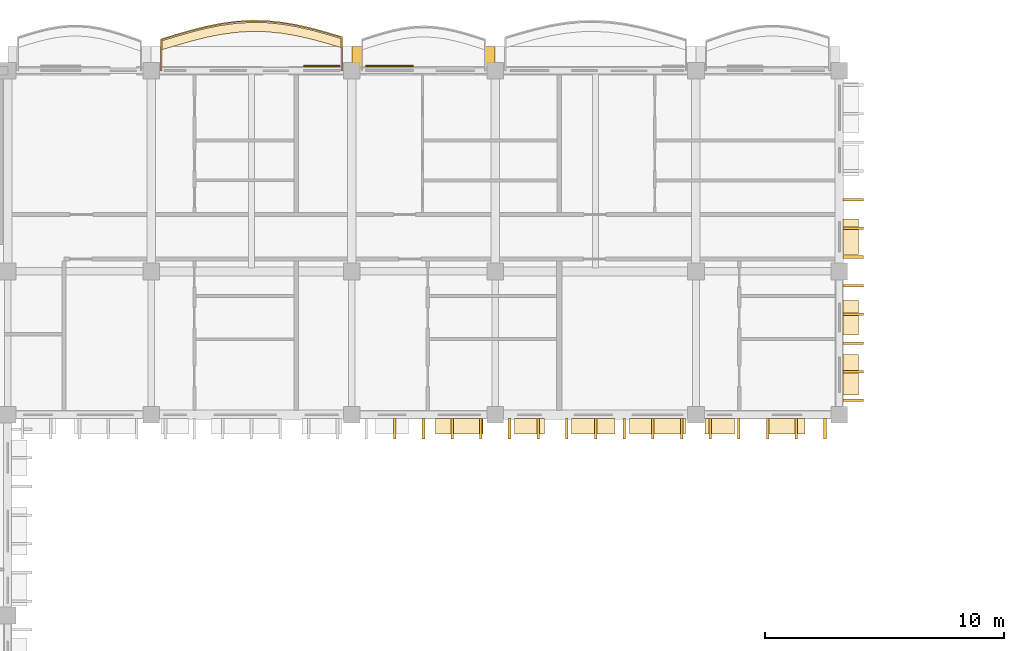
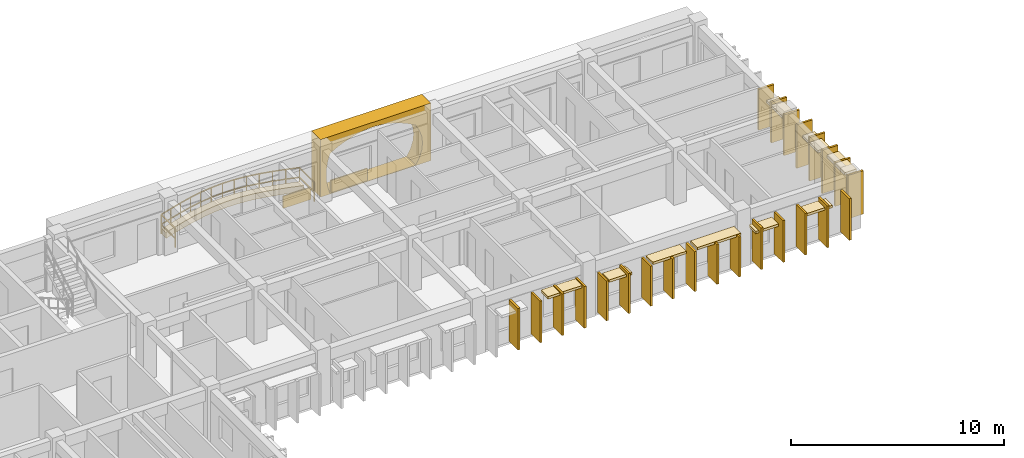
# One storey, part 52 of 70: 37 coverings, 1 railing.
"""IFC4 building model written with IfcOpenShell, lengths in metres."""

import ifcopenshell
import ifcopenshell.guid

model = None  # the IFC model being written
_history = None  # IfcOwnerHistory: only IFC2X3 demands one
_inside = {}  # id of a spatial element -> (the spatial element, [elements in it])
_under = {}  # id of a project, library or spatial element -> (it, [spatial elements below it])
_declared = {}  # id of a project -> (the project, [libraries it declares])
_typed = {}  # id of a type object -> (the type object, [elements of that type])
_made_of = {}  # id of a material, layer set ... -> (it, [elements and type objects made of it])


def new_model(schema):
    """Start an empty IFC model of exactly this schema.

    Asked for "IFC4X3", IfcOpenShell would pick the latest addendum, in which some entities
    have other attributes; the version numbers below select the first issue.
    IFC2X3 requires an IfcOwnerHistory on every rooted entity: one is made here for all.
    """
    global model, _history
    if schema == "IFC4X3":
        model = ifcopenshell.file(schema_version=(4, 3, 0, 0))
    else:
        model = ifcopenshell.file(schema=schema)
    _inside.clear()
    _under.clear()
    _declared.clear()
    _typed.clear()
    _made_of.clear()
    _history = None
    if model.schema == "IFC2X3":
        org = make("IfcOrganization", Name="unknown")
        user = make(
            "IfcPersonAndOrganization",
            ThePerson=make("IfcPerson", FamilyName="unknown"),
            TheOrganization=org,
        )
        app = make(
            "IfcApplication",
            ApplicationDeveloper=org,
            Version="unknown",
            ApplicationFullName="unknown",
            ApplicationIdentifier="unknown",
        )
        _history = make(
            "IfcOwnerHistory",
            OwningUser=user,
            OwningApplication=app,
            ChangeAction="ADDED",
            CreationDate=0,
        )
    return model


def make(cls, **values):
    """One entity of the class cls with the attributes given. An attribute that is None is left unset."""
    return model.create_entity(
        cls, **{name: value for name, value in values.items() if value is not None}
    )


def rooted(cls, **values):
    """An entity with a GlobalId (a new one), such as an element, a storey or a relation."""
    return make(cls, GlobalId=ifcopenshell.guid.new(), OwnerHistory=_history, **values)


def si_unit(unit_type, name, prefix=None):
    """IfcSIUnit, for example si_unit("LENGTHUNIT", "METRE", prefix="MILLI")."""
    return make("IfcSIUnit", UnitType=unit_type, Prefix=prefix, Name=name)


def assignment(units):
    """IfcUnitAssignment: the units of a project."""
    return None if units is None else make("IfcUnitAssignment", Units=units)


def point(xyz):
    """IfcCartesianPoint."""
    return None if xyz is None else make("IfcCartesianPoint", Coordinates=xyz)


def direction(xyz):
    """IfcDirection."""
    return None if xyz is None else make("IfcDirection", DirectionRatios=xyz)


def frame(location, z_axis=None, x_axis=None):
    """IfcAxis2Placement3D, a coordinate frame: its origin and axes. An axis left out is left unset."""
    return make(
        "IfcAxis2Placement3D",
        Location=point(location),
        Axis=direction(z_axis),
        RefDirection=direction(x_axis),
    )


def frame_2d(location, x_axis=None):
    """IfcAxis2Placement2D, a coordinate frame in the plane: its origin and x axis."""
    return make(
        "IfcAxis2Placement2D", Location=point(location), RefDirection=direction(x_axis)
    )


def origin():
    """The frame at (0, 0, 0) with its axes left unset."""
    return frame((0.0, 0.0, 0.0))


def origin_2d():
    """The frame at (0, 0) in the plane with its x axis left unset."""
    return frame_2d((0.0, 0.0))


def place(relative_to, where):
    """IfcLocalPlacement: puts the frame where relative to a parent placement (None: the world)."""
    return make(
        "IfcLocalPlacement", PlacementRelTo=relative_to, RelativePlacement=where
    )


def context(
    kind, dimensions, precision=None, world=None, true_north=None, identifier=None
):
    """IfcGeometricRepresentationContext, for example the 3D "Model" context."""
    return make(
        "IfcGeometricRepresentationContext",
        ContextIdentifier=identifier,
        ContextType=kind,
        CoordinateSpaceDimension=dimensions,
        Precision=precision,
        WorldCoordinateSystem=world,
        TrueNorth=true_north,
    )


def subcontext(parent, identifier, kind, view, scale=None):
    """IfcGeometricRepresentationSubContext, for example "Body" below "Model"."""
    return make(
        "IfcGeometricRepresentationSubContext",
        ContextIdentifier=identifier,
        ContextType=kind,
        ParentContext=parent,
        TargetScale=scale,
        TargetView=view,
    )


def project(units=None, contexts=None):
    """IfcProject with its units and contexts."""
    return rooted(
        "IfcProject",
        Name="project",
        RepresentationContexts=contexts,
        UnitsInContext=assignment(units),
    )


def spatial(cls, under=None, at=None, **own):
    """A site, building, storey or space (cls), placed at a placement, below another one or the project."""
    s = rooted(cls, ObjectPlacement=at, **own)
    if under is not None:
        _under.setdefault(under.id(), (under, []))[1].append(s)
    return s


def polyline(points):
    """IfcPolyline through the points."""
    return make("IfcPolyline", Points=[point(p) for p in points])


def profile(cls, at=None, kind="AREA", **sizes):
    """A parametric profile (cls). Its sizes go by their IFC names, for example OverallWidth=200.0."""
    return make(cls, ProfileType=kind, Position=at, **sizes)


def rectangle(**sizes):
    """IfcRectangleProfileDef."""
    return profile("IfcRectangleProfileDef", **sizes)


def outline(outer, holes=None, kind="AREA"):
    """IfcArbitraryClosedProfileDef: a profile drawn as a closed curve; with holes, ...WithVoids."""
    if holes is None:
        return make("IfcArbitraryClosedProfileDef", ProfileType=kind, OuterCurve=outer)
    return make(
        "IfcArbitraryProfileDefWithVoids",
        ProfileType=kind,
        OuterCurve=outer,
        InnerCurves=holes,
    )


def extrude(swept, where, along, depth):
    """IfcExtrudedAreaSolid: the profile swept, set in the frame where, extruded along a direction by depth."""
    return make(
        "IfcExtrudedAreaSolid",
        SweptArea=swept,
        Position=where,
        ExtrudedDirection=direction(along),
        Depth=depth,
    )


def shape(context_of_items, identifier, shape_type, items):
    """IfcShapeRepresentation: the items that make up one representation, for example the "Body"."""
    return make(
        "IfcShapeRepresentation",
        ContextOfItems=context_of_items,
        RepresentationIdentifier=identifier,
        RepresentationType=shape_type,
        Items=items,
    )


def material(Name=None, Category=None):
    """IfcMaterial."""
    return make("IfcMaterial", Name=Name, Category=Category)


def layer(
    of_material, thickness, ventilated=None, Name=None, Category=None, Priority=None
):
    """IfcMaterialLayer: one layer of a wall or slab, of a material (None: an air gap)."""
    return make(
        "IfcMaterialLayer",
        Material=of_material,
        LayerThickness=thickness,
        IsVentilated=ventilated,
        Name=Name,
        Category=Category,
        Priority=Priority,
    )


def layer_set(layers, Name=None):
    """IfcMaterialLayerSet."""
    return make("IfcMaterialLayerSet", MaterialLayers=layers, LayerSetName=Name)


def made_of(thing, what):
    """Note that an element or type object is made of a material, layer set ...; save() writes the relation."""
    if what is not None:
        _made_of.setdefault(what.id(), (what, []))[1].append(thing)
    return thing


def type_object(cls, material=None, **own):
    """A type object (cls), such as IfcWallType, which elements share."""
    return made_of(rooted(cls, **own), material)


def element(
    cls,
    number,
    at=None,
    inside=None,
    cuts=None,
    type_object=None,
    material=None,
    context=None,
    identifier="Body",
    shape_type=None,
    held_by="IfcProductDefinitionShape",
    body=None,
    shapes=None,
    **own,
):
    """One element of the class cls, such as IfcWall. Its Tag is "e" and its number.

    at: its placement. inside: the storey or other place that contains it. cuts: it is an
    opening in that element (IfcRelVoidsElement). A single representation is given by context,
    identifier, shape_type and body (its items); several are given by shapes. held_by: the class
    of the entity that holds the representations. save() writes the other relations.
    """
    e = rooted(cls, Tag="e%d" % number, ObjectPlacement=at, **own)
    if body is not None:
        shapes = [shape(context, identifier, shape_type, body)]
    if shapes is not None:
        e.Representation = make(held_by, Representations=shapes)
    if inside is not None:
        _inside.setdefault(inside.id(), (inside, []))[1].append(e)
    if cuts is not None:
        rooted(
            "IfcRelVoidsElement", RelatingBuildingElement=cuts, RelatedOpeningElement=e
        )
    if type_object is not None:
        _typed.setdefault(type_object.id(), (type_object, []))[1].append(e)
    return made_of(e, material)


def aggregate(whole, parts):
    """IfcRelAggregates: a whole, such as a stair, and the parts it consists of."""
    return rooted("IfcRelAggregates", RelatingObject=whole, RelatedObjects=parts)


def save(model, path):
    """Write the relations noted so far, then the file.

    IfcRelAggregates (storeys below a building ...), IfcRelContainedInSpatialStructure (elements
    in a storey), IfcRelDefinesByType, IfcRelAssociatesMaterial and IfcRelDeclares: one each for
    every whole, place, type object, material and project.
    """
    for whole, parts in _under.values():
        aggregate(whole, parts)
    for where, things in _inside.values():
        rooted(
            "IfcRelContainedInSpatialStructure",
            RelatedElements=things,
            RelatingStructure=where,
        )
    for kind, things in _typed.values():
        rooted("IfcRelDefinesByType", RelatedObjects=things, RelatingType=kind)
    for what, things in _made_of.values():
        rooted("IfcRelAssociatesMaterial", RelatedObjects=things, RelatingMaterial=what)
    for by, libraries in _declared.values():
        rooted("IfcRelDeclares", RelatingContext=by, RelatedDefinitions=libraries)
    model.write(path)


model = new_model("IFC4")

# Units and contexts
model_context = context("Model", 3, precision=1e-05, world=origin(), true_north=direction((0.0, 1.0)))
body_context = subcontext(model_context, "Body", "Model", "MODEL_VIEW")
ifc_project = project(units=[si_unit("LENGTHUNIT", "METRE"), si_unit("AREAUNIT", "SQUARE_METRE"), si_unit("VOLUMEUNIT", "CUBIC_METRE"), si_unit("PLANEANGLEUNIT", "RADIAN"), si_unit("MASSUNIT", "GRAM", prefix="KILO"), si_unit("THERMODYNAMICTEMPERATUREUNIT", "KELVIN")], contexts=[model_context])

# Site, building, storey
site_placement = place(None, origin())
site = spatial("IfcSite", under=ifc_project, at=site_placement, CompositionType="ELEMENT")
building_placement = place(site_placement, origin())
building = spatial("IfcBuilding", under=site, at=building_placement, Name="Thalorik Housing Commons", CompositionType="ELEMENT")
storey_placement = place(building_placement, frame((0.0, 0.0, 14.699951171875)))
storey = spatial("IfcBuildingStorey", under=building, at=storey_placement, Name="L04", CompositionType="ELEMENT", Elevation=14.699951171875)

# Coverings
ifc_material_1 = material(Name="Precast concrete C40/50", Category="concrete")
ifc_layer_1 = layer(ifc_material_1, 0.85009765625, Name="Precast concrete C40/50", Category="concrete")
ifc_layer_set_1 = layer_set([ifc_layer_1], Name="Precast concrete C40/50")
covering_type_1 = type_object("IfcCoveringType", Name="ARC-CLD-CUSH-850", PredefinedType="CLADDING", material=ifc_layer_set_1)
covering_1_placement = place(storey_placement, frame((40.199951171875, 124.18505859375, 0.0), z_axis=(0.0, 0.0, 1.0), x_axis=(-1.0, 0.0, 0.0)))
element("IfcCovering", 1, at=covering_1_placement, inside=storey, type_object=covering_type_1, Name="L04 White Precast Curved Cushion Bay Frame 432", PredefinedType="CLADDING", context=body_context, shape_type="SweptSolid", body=[
    extrude(outline(polyline([(-3.0, 0.0), (3.0, 0.0), (3.0, 3.300048828125), (-3.0, 3.300048828125), (-3.0, 0.0)]), holes=[polyline([(2.4775390625, 0.02490234375), (2.587890625, 0.407470703125), (2.654052734375, 0.7900390625), (2.676025390625, 1.172607421875), (2.654052734375, 1.554931640625), (2.587890625, 1.9375), (2.4775390625, 2.320068359375), (2.08935546875, 2.539306640625), (1.700927734375, 2.711181640625), (1.3125, 2.8505859375), (0.92431640625, 2.954345703125), (0.535888671875, 3.018310546875), (0.147705078125, 3.0400390625), (-0.24072265625, 3.018310546875), (-0.629150390625, 2.954345703125), (-1.017333984375, 2.8505859375), (-1.40576171875, 2.711181640625), (-1.794189453125, 2.539306640625), (-2.182373046875, 2.320068359375), (-2.38671875, 1.9375), (-2.50927734375, 1.554931640625), (-2.550048828125, 1.172607421875), (-2.50927734375, 0.7900390625), (-2.38671875, 0.407470703125), (-2.182373046875, 0.02490234375), (2.4775390625, 0.02490234375)])]), frame((0.0, 0.425048828125, 0.0), z_axis=(0.0, -1.0, 0.0), x_axis=(1.0, 0.0, 0.0)), (0.0, 0.0, 1.0), 0.85009765625),
])
ifc_layer_2 = layer(ifc_material_1, 0.85009765625, Name="Precast concrete C40/50", Category="concrete")
ifc_layer_set_2 = layer_set([ifc_layer_2], Name="Precast concrete C40/50")
covering_type_2 = type_object("IfcCoveringType", Name="ARC-CLD-FIN-850", PredefinedType="CLADDING", material=ifc_layer_set_2)
for number, where, z_axis, x_axis, name in (
    (2, (39.0, 108.614990234375, 0.0400390625), (0.0, 0.0, 1.0), (1.0, 0.0, 0.0), "L04 Courtyard Precast Vertical Brise-Soleil Fin 388"),
    (3, (40.199951171875, 108.614990234375, 0.0400390625), (0.0, 0.0, 1.0), (1.0, 0.0, 0.0), "L04 Courtyard Precast Vertical Brise-Soleil Fin 389"),
    (4, (41.39990234375, 108.614990234375, 0.0400390625), (0.0, 0.0, 1.0), (1.0, 0.0, 0.0), "L04 Courtyard Precast Vertical Brise-Soleil Fin 390"),
    (5, (42.60009765625, 108.614990234375, 0.0400390625), (0.0, 0.0, 1.0), (1.0, 0.0, 0.0), "L04 Courtyard Precast Vertical Brise-Soleil Fin 391"),
):
    element("IfcCovering", number, at=place(storey_placement, frame(where, z_axis=z_axis, x_axis=x_axis)), inside=storey, type_object=covering_type_2, Name=name, PredefinedType="CLADDING", context=body_context, shape_type="SweptSolid", body=[
        extrude(rectangle(XDim=0.110107421875, YDim=0.85009765625, at=origin_2d()), origin(), (0.0, 0.0, 1.0), 2.39501953125),
    ])
for number, where, z_axis, x_axis, name in (
    (6, (43.800048828125, 108.614990234375, 0.0400390625), (0.0, 0.0, 1.0), (1.0, 0.0, 0.0), "L04 Courtyard Precast Vertical Brise-Soleil Fin 394"),
    (7, (45.0, 108.614990234375, 0.0400390625), (0.0, 0.0, 1.0), (1.0, 0.0, 0.0), "L04 Courtyard Precast Vertical Brise-Soleil Fin 395"),
    (8, (46.199951171875, 108.614990234375, 0.0400390625), (0.0, 0.0, 1.0), (1.0, 0.0, 0.0), "L04 Courtyard Precast Vertical Brise-Soleil Fin 396"),
    (9, (47.39990234375, 108.614990234375, 0.0400390625), (0.0, 0.0, 1.0), (1.0, 0.0, 0.0), "L04 Courtyard Precast Vertical Brise-Soleil Fin 397"),
    (10, (48.60009765625, 108.614990234375, 0.0400390625), (0.0, 0.0, 1.0), (1.0, 0.0, 0.0), "L04 Courtyard Precast Vertical Brise-Soleil Fin 398"),
    (11, (49.800048828125, 108.614990234375, 0.0400390625), (0.0, 0.0, 1.0), (1.0, 0.0, 0.0), "L04 Courtyard Precast Vertical Brise-Soleil Fin 399"),
    (12, (51.0, 108.614990234375, 0.0400390625), (0.0, 0.0, 1.0), (1.0, 0.0, 0.0), "L04 Courtyard Precast Vertical Brise-Soleil Fin 400"),
):
    element("IfcCovering", number, at=place(storey_placement, frame(where, z_axis=z_axis, x_axis=x_axis)), inside=storey, type_object=covering_type_2, Name=name, PredefinedType="CLADDING", context=body_context, shape_type="SweptSolid", body=[
        extrude(rectangle(XDim=0.110107421875, YDim=0.85009765625, at=origin_2d()), origin(), (0.0, 0.0, 1.0), 2.294921875),
    ])
for number, where, z_axis, x_axis, name in (
    (13, (52.199951171875, 108.614990234375, 0.0400390625), (0.0, 0.0, 1.0), (1.0, 0.0, 0.0), "L04 Courtyard Precast Vertical Brise-Soleil Fin 404"),
    (14, (53.39990234375, 108.614990234375, 0.0400390625), (0.0, 0.0, 1.0), (1.0, 0.0, 0.0), "L04 Courtyard Precast Vertical Brise-Soleil Fin 405"),
    (15, (54.60009765625, 108.614990234375, 0.0400390625), (0.0, 0.0, 1.0), (1.0, 0.0, 0.0), "L04 Courtyard Precast Vertical Brise-Soleil Fin 406"),
    (16, (55.800048828125, 108.614990234375, 0.0400390625), (0.0, 0.0, 1.0), (1.0, 0.0, 0.0), "L04 Courtyard Precast Vertical Brise-Soleil Fin 407"),
    (17, (57.0, 108.614990234375, 0.0400390625), (0.0, 0.0, 1.0), (1.0, 0.0, 0.0), "L04 Courtyard Precast Vertical Brise-Soleil Fin 408"),
):
    element("IfcCovering", number, at=place(storey_placement, frame(where, z_axis=z_axis, x_axis=x_axis)), inside=storey, type_object=covering_type_2, Name=name, PredefinedType="CLADDING", context=body_context, shape_type="SweptSolid", body=[
        extrude(rectangle(XDim=0.110107421875, YDim=0.85009765625, at=origin_2d()), origin(), (0.0, 0.0, 1.0), 2.39501953125),
    ])
for number, where, z_axis, x_axis, name in (
    (18, (58.18505859375, 109.800048828125, 0.0400390625), (0.0, 0.0, 1.0), (0.0, 1.0, 0.0), "L04 Courtyard Precast Vertical Brise-Soleil Fin 411"),
    (19, (58.18505859375, 111.0, 0.0400390625), (0.0, 0.0, 1.0), (0.0, 1.0, 0.0), "L04 Courtyard Precast Vertical Brise-Soleil Fin 412"),
    (20, (58.18505859375, 112.199951171875, 0.0400390625), (0.0, 0.0, 1.0), (0.0, 1.0, 0.0), "L04 Courtyard Precast Vertical Brise-Soleil Fin 413"),
    (21, (58.18505859375, 113.39990234375, 0.0400390625), (0.0, 0.0, 1.0), (0.0, 1.0, 0.0), "L04 Courtyard Precast Vertical Brise-Soleil Fin 414"),
    (22, (58.18505859375, 114.60009765625, 0.0400390625), (0.0, 0.0, 1.0), (0.0, 1.0, 0.0), "L04 Courtyard Precast Vertical Brise-Soleil Fin 415"),
):
    element("IfcCovering", number, at=place(storey_placement, frame(where, z_axis=z_axis, x_axis=x_axis)), inside=storey, type_object=covering_type_2, Name=name, PredefinedType="CLADDING", context=body_context, shape_type="SweptSolid", body=[
        extrude(rectangle(XDim=0.110107421875, YDim=0.85009765625, at=origin_2d()), origin(), (0.0, 0.0, 1.0), 2.4951171875),
    ])
for number, where, z_axis, x_axis, name in (
    (23, (58.18505859375, 115.800048828125, 0.0400390625), (0.0, 0.0, 1.0), (0.0, 1.0, 0.0), "L04 Courtyard Precast Vertical Brise-Soleil Fin 418"),
    (24, (58.18505859375, 117.0, 0.0400390625), (0.0, 0.0, 1.0), (0.0, 1.0, 0.0), "L04 Courtyard Precast Vertical Brise-Soleil Fin 419"),
    (25, (58.18505859375, 118.199951171875, 0.0400390625), (0.0, 0.0, 1.0), (0.0, 1.0, 0.0), "L04 Courtyard Precast Vertical Brise-Soleil Fin 420"),
):
    element("IfcCovering", number, at=place(storey_placement, frame(where, z_axis=z_axis, x_axis=x_axis)), inside=storey, type_object=covering_type_2, Name=name, PredefinedType="CLADDING", context=body_context, shape_type="SweptSolid", body=[
        extrude(rectangle(XDim=0.110107421875, YDim=0.85009765625, at=origin_2d()), origin(), (0.0, 0.0, 1.0), 2.344970703125),
    ])
ifc_layer_3 = layer(ifc_material_1, 0.64990234375, Name="Precast concrete C40/50", Category="concrete")
ifc_layer_set_3 = layer_set([ifc_layer_3], Name="Precast concrete C40/50")
covering_type_3 = type_object("IfcCoveringType", Name="ARC-CLD-HOOD-650", PredefinedType="CLADDING", material=ifc_layer_set_3)
covering_2_placement = place(storey_placement, frame((41.6923828125, 108.715087890625, 2.240234375), z_axis=(0.0, 0.0, 1.0), x_axis=(1.0, 0.0, 0.0)))
element("IfcCovering", 26, at=covering_2_placement, inside=storey, type_object=covering_type_3, Name="L04 Courtyard Precast Window Sun-Hood 393", PredefinedType="CLADDING", context=body_context, shape_type="SweptSolid", body=[
    extrude(rectangle(XDim=1.989990234375, YDim=0.64990234375, at=origin_2d()), origin(), (0.0, 0.0, 1.0), 0.139892578125),
])
covering_3_placement = place(storey_placement, frame((44.635009765625, 108.715087890625, 2.0400390625), z_axis=(0.0, 0.0, 1.0), x_axis=(1.0, 0.0, 0.0)))
element("IfcCovering", 27, at=covering_3_placement, inside=storey, type_object=covering_type_3, Name="L04 Courtyard Precast Window Sun-Hood 401", PredefinedType="CLADDING", context=body_context, shape_type="SweptSolid", body=[
    extrude(rectangle(XDim=1.239990234375, YDim=0.64990234375, at=origin_2d()), origin(), (0.0, 0.0, 1.0), 0.139892578125),
])
covering_4_placement = place(storey_placement, frame((47.297607421875, 108.715087890625, 2.22509765625), z_axis=(0.0, 0.0, 1.0), x_axis=(1.0, 0.0, 0.0)))
element("IfcCovering", 28, at=covering_4_placement, inside=storey, type_object=covering_type_3, Name="L04 Courtyard Precast Window Sun-Hood 402", PredefinedType="CLADDING", context=body_context, shape_type="SweptSolid", body=[
    extrude(rectangle(XDim=1.820068359375, YDim=0.64990234375, at=origin_2d()), origin(), (0.0, 0.0, 1.0), 0.139892578125),
])
covering_5_placement = place(storey_placement, frame((49.992431640625, 108.715087890625, 2.22509765625), z_axis=(0.0, 0.0, 1.0), x_axis=(1.0, 0.0, 0.0)))
element("IfcCovering", 29, at=covering_5_placement, inside=storey, type_object=covering_type_3, Name="L04 Courtyard Precast Window Sun-Hood 403", PredefinedType="CLADDING", context=body_context, shape_type="SweptSolid", body=[
    extrude(rectangle(XDim=2.360107421875, YDim=0.64990234375, at=origin_2d()), origin(), (0.0, 0.0, 1.0), 0.139892578125),
])
covering_6_placement = place(storey_placement, frame((52.60009765625, 108.715087890625, 2.0400390625), z_axis=(0.0, 0.0, 1.0), x_axis=(1.0, 0.0, 0.0)))
element("IfcCovering", 30, at=covering_6_placement, inside=storey, type_object=covering_type_3, Name="L04 Courtyard Precast Window Sun-Hood 409", PredefinedType="CLADDING", context=body_context, shape_type="SweptSolid", body=[
    extrude(rectangle(XDim=1.239990234375, YDim=0.64990234375, at=origin_2d()), origin(), (0.0, 0.0, 1.0), 0.139892578125),
])
covering_7_placement = place(storey_placement, frame((55.409912109375, 108.715087890625, 2.09033203125), z_axis=(0.0, 0.0, 1.0), x_axis=(1.0, 0.0, 0.0)))
element("IfcCovering", 31, at=covering_7_placement, inside=storey, type_object=covering_type_3, Name="L04 Courtyard Precast Window Sun-Hood 410", PredefinedType="CLADDING", context=body_context, shape_type="SweptSolid", body=[
    extrude(rectangle(XDim=1.489990234375, YDim=0.64990234375, at=origin_2d()), origin(), (0.0, 0.0, 1.0), 0.139892578125),
])
covering_8_placement = place(storey_placement, frame((58.0849609375, 110.87548828125, 2.39013671875), z_axis=(0.0, 0.0, 1.0), x_axis=(0.0, 1.0, 0.0)))
element("IfcCovering", 32, at=covering_8_placement, inside=storey, type_object=covering_type_3, Name="L04 Courtyard Precast Window Sun-Hood 416", PredefinedType="CLADDING", context=body_context, shape_type="SweptSolid", body=[
    extrude(rectangle(XDim=1.68994140625, YDim=0.64990234375, at=origin_2d()), origin(), (0.0, 0.0, 1.0), 0.139892578125),
])
covering_9_placement = place(storey_placement, frame((58.0849609375, 113.26513671875, 2.14013671875), z_axis=(0.0, 0.0, 1.0), x_axis=(0.0, 1.0, 0.0)))
element("IfcCovering", 33, at=covering_9_placement, inside=storey, type_object=covering_type_3, Name="L04 Courtyard Precast Window Sun-Hood 417", PredefinedType="CLADDING", context=body_context, shape_type="SweptSolid", body=[
    extrude(rectangle(XDim=1.43994140625, YDim=0.64990234375, at=origin_2d()), origin(), (0.0, 0.0, 1.0), 0.139892578125),
])
covering_10_placement = place(storey_placement, frame((58.0849609375, 116.64990234375, 2.09033203125), z_axis=(0.0, 0.0, 1.0), x_axis=(0.0, 1.0, 0.0)))
element("IfcCovering", 34, at=covering_10_placement, inside=storey, type_object=covering_type_3, Name="L04 Courtyard Precast Window Sun-Hood 425", PredefinedType="CLADDING", context=body_context, shape_type="SweptSolid", body=[
    extrude(rectangle(XDim=1.489990234375, YDim=0.64990234375, at=origin_2d()), origin(), (0.0, 0.0, 1.0), 0.139892578125),
])
ifc_material_2 = material(Name="Terracotta red mineral fibre-cement panel", Category="masonry")
ifc_layer_4 = layer(ifc_material_2, 0.054931640625, Name="Terracotta red mineral fibre-cement panel", Category="masonry")
ifc_layer_set_4 = layer_set([ifc_layer_4], Name="Terracotta red mineral fibre-cement panel")
covering_type_4 = type_object("IfcCoveringType", Name="ARC-CLD-RED-55", PredefinedType="CLADDING", material=ifc_layer_set_4)
covering_11_placement = place(storey_placement, frame((35.93994140625, 123.79248046875, 0.05029296875), z_axis=(0.0, 0.0, 1.0), x_axis=(-1.0, 0.0, 0.0)))
element("IfcCovering", 35, at=covering_11_placement, inside=storey, type_object=covering_type_4, Name="L04 De Stijl Recessed Window Spandrel 435", PredefinedType="CLADDING", context=body_context, shape_type="SweptSolid", body=[
    extrude(rectangle(XDim=1.52001953125, YDim=0.054931640625, at=origin_2d()), origin(), (0.0, 0.0, 1.0), 0.699951171875),
])
ifc_material_3 = material(Name="Mineral ochre architectural terracotta panel", Category="masonry")
ifc_layer_5 = layer(ifc_material_3, 0.06494140625, Name="Mineral ochre architectural terracotta panel", Category="masonry")
ifc_layer_set_5 = layer_set([ifc_layer_5], Name="Mineral ochre architectural terracotta panel")
covering_type_5 = type_object("IfcCoveringType", Name="ARC-CLD-YEL-65", PredefinedType="CLADDING", material=ifc_layer_set_5)
covering_12_placement = place(storey_placement, frame((38.7724609375, 123.797607421875, 0.05029296875), z_axis=(0.0, 0.0, 1.0), x_axis=(-1.0, 0.0, 0.0)))
element("IfcCovering", 36, at=covering_12_placement, inside=storey, type_object=covering_type_5, Name="L04 De Stijl Recessed Window Spandrel 433", PredefinedType="CLADDING", context=body_context, shape_type="SweptSolid", body=[
    extrude(rectangle(XDim=2.0, YDim=0.06494140625, at=origin_2d()), origin(), (0.0, 0.0, 1.0), 0.699951171875),
])
ifc_material_4 = material(Name="Planted vegetated substrate and terracotta trough", Category="masonry")
ifc_layer_6 = layer(ifc_material_4, 0.340087890625, Name="Planted vegetated substrate and terracotta trough", Category="masonry")
ifc_layer_set_6 = layer_set([ifc_layer_6], Name="Planted vegetated substrate and terracotta trough")
covering_type_6 = type_object("IfcCoveringType", Name="ARC-COV-PLANTER", PredefinedType="USERDEFINED", material=ifc_layer_set_6)
covering_13_placement = place(storey_placement, origin())
element("IfcCovering", 37, at=covering_13_placement, inside=storey, type_object=covering_type_6, Name="L04 Balcony Slab-Edge Planted Trough 5338", ObjectType="PLANTER", PredefinedType="USERDEFINED", context=body_context, shape_type="SweptSolid", body=[
    extrude(outline(polyline([(36.780029296875, 124.935791015625), (36.14990234375, 125.12353515625), (35.52001953125, 125.29541015625), (34.889892578125, 125.439697265625), (34.260009765625, 125.54638671875), (33.6298828125, 125.6083984375), (33.0, 125.620849609375), (32.3701171875, 125.58349609375), (31.739990234375, 125.4990234375), (31.110107421875, 125.372802734375), (30.47998046875, 125.21435546875), (29.85009765625, 125.0341796875), (29.219970703125, 124.844970703125), (29.219970703125, 124.465087890625), (29.85009765625, 124.654296875), (30.47998046875, 124.834228515625), (31.110107421875, 124.992919921875), (31.739990234375, 125.118896484375), (32.3701171875, 125.20361328125), (33.0, 125.240966796875), (33.6298828125, 125.228271484375), (34.260009765625, 125.16650390625), (34.889892578125, 125.059814453125), (35.52001953125, 124.91552734375), (36.14990234375, 124.743408203125), (36.780029296875, 124.555908203125), (36.780029296875, 124.935791015625)])), origin(), (0.0, 0.0, 1.0), 0.340087890625),
])

# Railing
ifc_material_5 = material(Name="Steel S355", Category="steel")
railing_type = type_object("IfcRailingType", Name="ARC-RL-BAL-112", PredefinedType="BALUSTRADE", material=ifc_material_5)
railing_placement = place(storey_placement, frame((36.780029296875, 123.60009765625, 0.0)))
element("IfcRailing", 38, at=railing_placement, inside=storey, type_object=railing_type, Name="L04 Cushion Balcony Guardrail 22", PredefinedType="BALUSTRADE", context=body_context, shape_type="SweptSolid", body=[
    extrude(rectangle(XDim=0.050048828125, YDim=0.050048828125, at=origin_2d()), frame((0.0, 0.0, 1.09521484375), z_axis=(0.0, 1.0, 0.0), x_axis=(-1.0, 0.0, 0.0)), (0.0, 0.0, 1.0), 1.40576171875),
    extrude(rectangle(XDim=0.050048828125, YDim=0.050048828125, at=origin_2d()), frame((0.0, 0.0, 0.53515625), z_axis=(0.0, 1.0, 0.0), x_axis=(-1.0, 0.0, 0.0)), (0.0, 0.0, 1.0), 1.40576171875),
    extrude(rectangle(XDim=0.050048828125, YDim=0.050048828125, at=origin_2d()), frame((0.0, 1.40576171875, 1.09521484375), z_axis=(-0.958366227807, 0.285541894298, 0.0), x_axis=(-0.285541894298, -0.958366227807, 0.0)), (0.0, 0.0, 1.0), 0.657470703125),
    extrude(rectangle(XDim=0.050048828125, YDim=0.050048828125, at=origin_2d()), frame((0.0, 1.40576171875, 0.53515625), z_axis=(-0.958366227807, 0.285541894298, 0.0), x_axis=(-0.285541894298, -0.958366227807, 0.0)), (0.0, 0.0, 1.0), 0.657470703125),
    extrude(rectangle(XDim=0.050048828125, YDim=0.050048828125, at=origin_2d()), frame((-0.630126953125, 1.593505859375, 1.09521484375), z_axis=(-0.964729296683, 0.263243963126, 0.0), x_axis=(-0.263243963126, -0.964729296683, 0.0)), (0.0, 0.0, 1.0), 0.65283203125),
    extrude(rectangle(XDim=0.050048828125, YDim=0.050048828125, at=origin_2d()), frame((-0.630126953125, 1.593505859375, 0.53515625), z_axis=(-0.964729296683, 0.263243963126, 0.0), x_axis=(-0.263243963126, -0.964729296683, 0.0)), (0.0, 0.0, 1.0), 0.65283203125),
    extrude(rectangle(XDim=0.050048828125, YDim=0.050048828125, at=origin_2d()), frame((-1.260009765625, 1.765380859375, 1.09521484375), z_axis=(-0.974771705856, 0.223204214708, 0.0), x_axis=(-0.223204214708, -0.974771705856, 0.0)), (0.0, 0.0, 1.0), 0.646484375),
    extrude(rectangle(XDim=0.050048828125, YDim=0.050048828125, at=origin_2d()), frame((-1.260009765625, 1.765380859375, 0.53515625), z_axis=(-0.974771705856, 0.223204214708, 0.0), x_axis=(-0.223204214708, -0.974771705856, 0.0)), (0.0, 0.0, 1.0), 0.646484375),
    extrude(rectangle(XDim=0.050048828125, YDim=0.050048828125, at=origin_2d()), frame((-1.89013671875, 1.90966796875, 1.09521484375), z_axis=(-0.985956693723, 0.167001191921, 0.0), x_axis=(-0.167001191921, -0.985956693723, 0.0)), (0.0, 0.0, 1.0), 0.638916015625),
    extrude(rectangle(XDim=0.050048828125, YDim=0.050048828125, at=origin_2d()), frame((-1.89013671875, 1.90966796875, 0.53515625), z_axis=(-0.985956693723, 0.167001191921, 0.0), x_axis=(-0.167001191921, -0.985956693723, 0.0)), (0.0, 0.0, 1.0), 0.638916015625),
    extrude(rectangle(XDim=0.050048828125, YDim=0.050048828125, at=origin_2d()), frame((-2.52001953125, 2.016357421875, 1.09521484375), z_axis=(-0.995229993395, 0.097556446466, 0.0), x_axis=(-0.097556446466, -0.995229993395, 0.0)), (0.0, 0.0, 1.0), 0.633056640625),
    extrude(rectangle(XDim=0.050048828125, YDim=0.050048828125, at=origin_2d()), frame((-2.52001953125, 2.016357421875, 0.53515625), z_axis=(-0.995229993395, 0.097556446466, 0.0), x_axis=(-0.097556446466, -0.995229993395, 0.0)), (0.0, 0.0, 1.0), 0.633056640625),
    extrude(rectangle(XDim=0.050048828125, YDim=0.050048828125, at=origin_2d()), frame((-3.150146484375, 2.078125, 1.09521484375), z_axis=(-0.999796949068, 0.02015094626, 0.0), x_axis=(-0.02015094626, -0.999796949068, 0.0)), (0.0, 0.0, 1.0), 0.630126953125),
    extrude(rectangle(XDim=0.050048828125, YDim=0.050048828125, at=origin_2d()), frame((-3.150146484375, 2.078125, 0.53515625), z_axis=(-0.999796949068, 0.02015094626, 0.0), x_axis=(-0.02015094626, -0.999796949068, 0.0)), (0.0, 0.0, 1.0), 0.630126953125),
    extrude(rectangle(XDim=0.050048828125, YDim=0.050048828125, at=origin_2d()), frame((-3.780029296875, 2.0908203125, 1.09521484375), z_axis=(-0.998246241406, -0.059198323618, 0.0), x_axis=(0.059198323618, -0.998246241406, 0.0)), (0.0, 0.0, 1.0), 0.631103515625),
    extrude(rectangle(XDim=0.050048828125, YDim=0.050048828125, at=origin_2d()), frame((-3.780029296875, 2.0908203125, 0.53515625), z_axis=(-0.998246241406, -0.059198323618, 0.0), x_axis=(0.059198323618, -0.998246241406, 0.0)), (0.0, 0.0, 1.0), 0.631103515625),
    extrude(rectangle(XDim=0.050048828125, YDim=0.050048828125, at=origin_2d()), frame((-4.409912109375, 2.053466796875, 1.09521484375), z_axis=(-0.99113374372, -0.132867987341, 0.0), x_axis=(0.132867987341, -0.99113374372, 0.0)), (0.0, 0.0, 1.0), 0.6357421875),
    extrude(rectangle(XDim=0.050048828125, YDim=0.050048828125, at=origin_2d()), frame((-4.409912109375, 2.053466796875, 0.53515625), z_axis=(-0.99113374372, -0.132867987341, 0.0), x_axis=(0.132867987341, -0.99113374372, 0.0)), (0.0, 0.0, 1.0), 0.6357421875),
    extrude(rectangle(XDim=0.050048828125, YDim=0.050048828125, at=origin_2d()), frame((-5.0400390625, 1.968994140625, 1.09521484375), z_axis=(-0.980507522663, -0.196481546208, 0.0), x_axis=(0.196481546208, -0.980507522663, 0.0)), (0.0, 0.0, 1.0), 0.642333984375),
    extrude(rectangle(XDim=0.050048828125, YDim=0.050048828125, at=origin_2d()), frame((-5.0400390625, 1.968994140625, 0.53515625), z_axis=(-0.980507522663, -0.196481546208, 0.0), x_axis=(0.196481546208, -0.980507522663, 0.0)), (0.0, 0.0, 1.0), 0.642333984375),
    extrude(rectangle(XDim=0.050048828125, YDim=0.050048828125, at=origin_2d()), frame((-5.669921875, 1.8427734375, 1.09521484375), z_axis=(-0.969721129013, -0.244214929817, 0.0), x_axis=(0.244214929817, -0.969721129013, 0.0)), (0.0, 0.0, 1.0), 0.64990234375),
    extrude(rectangle(XDim=0.050048828125, YDim=0.050048828125, at=origin_2d()), frame((-5.669921875, 1.8427734375, 0.53515625), z_axis=(-0.969721129013, -0.244214929817, 0.0), x_axis=(0.244214929817, -0.969721129013, 0.0)), (0.0, 0.0, 1.0), 0.64990234375),
    extrude(rectangle(XDim=0.050048828125, YDim=0.050048828125, at=origin_2d()), frame((-6.300048828125, 1.68408203125, 1.09521484375), z_axis=(-0.961538010122, -0.274671904442, 0.0), x_axis=(0.274671904442, -0.961538010122, 0.0)), (0.0, 0.0, 1.0), 0.655029296875),
    extrude(rectangle(XDim=0.050048828125, YDim=0.050048828125, at=origin_2d()), frame((-6.300048828125, 1.68408203125, 0.53515625), z_axis=(-0.961538010122, -0.274671904442, 0.0), x_axis=(0.274671904442, -0.961538010122, 0.0)), (0.0, 0.0, 1.0), 0.655029296875),
    extrude(rectangle(XDim=0.050048828125, YDim=0.050048828125, at=origin_2d()), frame((-6.929931640625, 1.504150390625, 1.09521484375), z_axis=(-0.957754763301, -0.287586184254, 0.0), x_axis=(0.287586184254, -0.957754763301, 0.0)), (0.0, 0.0, 1.0), 0.657958984375),
    extrude(rectangle(XDim=0.050048828125, YDim=0.050048828125, at=origin_2d()), frame((-6.929931640625, 1.504150390625, 0.53515625), z_axis=(-0.957754763301, -0.287586184254, 0.0), x_axis=(0.287586184254, -0.957754763301, 0.0)), (0.0, 0.0, 1.0), 0.657958984375),
    extrude(rectangle(XDim=0.050048828125, YDim=0.050048828125, at=origin_2d()), frame((-7.56005859375, 1.31494140625, 1.09521484375), z_axis=(0.0, -1.0, 0.0), x_axis=(1.0, 0.0, 0.0)), (0.0, 0.0, 1.0), 1.31494140625),
    extrude(rectangle(XDim=0.050048828125, YDim=0.050048828125, at=origin_2d()), frame((-7.56005859375, 1.31494140625, 0.53515625), z_axis=(0.0, -1.0, 0.0), x_axis=(1.0, 0.0, 0.0)), (0.0, 0.0, 1.0), 1.31494140625),
    extrude(rectangle(XDim=0.0419921875, YDim=0.0419921875, at=origin_2d()), origin(), (0.0, 0.0, 1.0), 1.070068359375),
    extrude(rectangle(XDim=0.0419921875, YDim=0.0419921875, at=origin_2d()), frame((0.0, 1.40576171875, 0.0)), (0.0, 0.0, 1.0), 1.070068359375),
    extrude(rectangle(XDim=0.0419921875, YDim=0.0419921875, at=origin_2d()), frame((-0.630126953125, 1.593505859375, 0.0)), (0.0, 0.0, 1.0), 1.070068359375),
    extrude(rectangle(XDim=0.0419921875, YDim=0.0419921875, at=origin_2d()), frame((-1.260009765625, 1.765380859375, 0.0)), (0.0, 0.0, 1.0), 1.070068359375),
    extrude(rectangle(XDim=0.0419921875, YDim=0.0419921875, at=origin_2d()), frame((-1.89013671875, 1.90966796875, 0.0)), (0.0, 0.0, 1.0), 1.070068359375),
    extrude(rectangle(XDim=0.0419921875, YDim=0.0419921875, at=origin_2d()), frame((-2.52001953125, 2.016357421875, 0.0)), (0.0, 0.0, 1.0), 1.070068359375),
    extrude(rectangle(XDim=0.0419921875, YDim=0.0419921875, at=origin_2d()), frame((-3.150146484375, 2.078125, 0.0)), (0.0, 0.0, 1.0), 1.070068359375),
    extrude(rectangle(XDim=0.0419921875, YDim=0.0419921875, at=origin_2d()), frame((-3.780029296875, 2.0908203125, 0.0)), (0.0, 0.0, 1.0), 1.070068359375),
    extrude(rectangle(XDim=0.0419921875, YDim=0.0419921875, at=origin_2d()), frame((-4.409912109375, 2.053466796875, 0.0)), (0.0, 0.0, 1.0), 1.070068359375),
    extrude(rectangle(XDim=0.0419921875, YDim=0.0419921875, at=origin_2d()), frame((-5.0400390625, 1.968994140625, 0.0)), (0.0, 0.0, 1.0), 1.070068359375),
    extrude(rectangle(XDim=0.0419921875, YDim=0.0419921875, at=origin_2d()), frame((-5.669921875, 1.8427734375, 0.0)), (0.0, 0.0, 1.0), 1.070068359375),
    extrude(rectangle(XDim=0.0419921875, YDim=0.0419921875, at=origin_2d()), frame((-6.300048828125, 1.68408203125, 0.0)), (0.0, 0.0, 1.0), 1.070068359375),
    extrude(rectangle(XDim=0.0419921875, YDim=0.0419921875, at=origin_2d()), frame((-6.929931640625, 1.504150390625, 0.0)), (0.0, 0.0, 1.0), 1.070068359375),
    extrude(rectangle(XDim=0.0419921875, YDim=0.0419921875, at=origin_2d()), frame((-7.56005859375, 1.31494140625, 0.0)), (0.0, 0.0, 1.0), 1.070068359375),
    extrude(rectangle(XDim=0.0419921875, YDim=0.0419921875, at=origin_2d()), frame((-7.56005859375, 0.0, 0.0)), (0.0, 0.0, 1.0), 1.070068359375),
])

save(model, "model.ifc")
